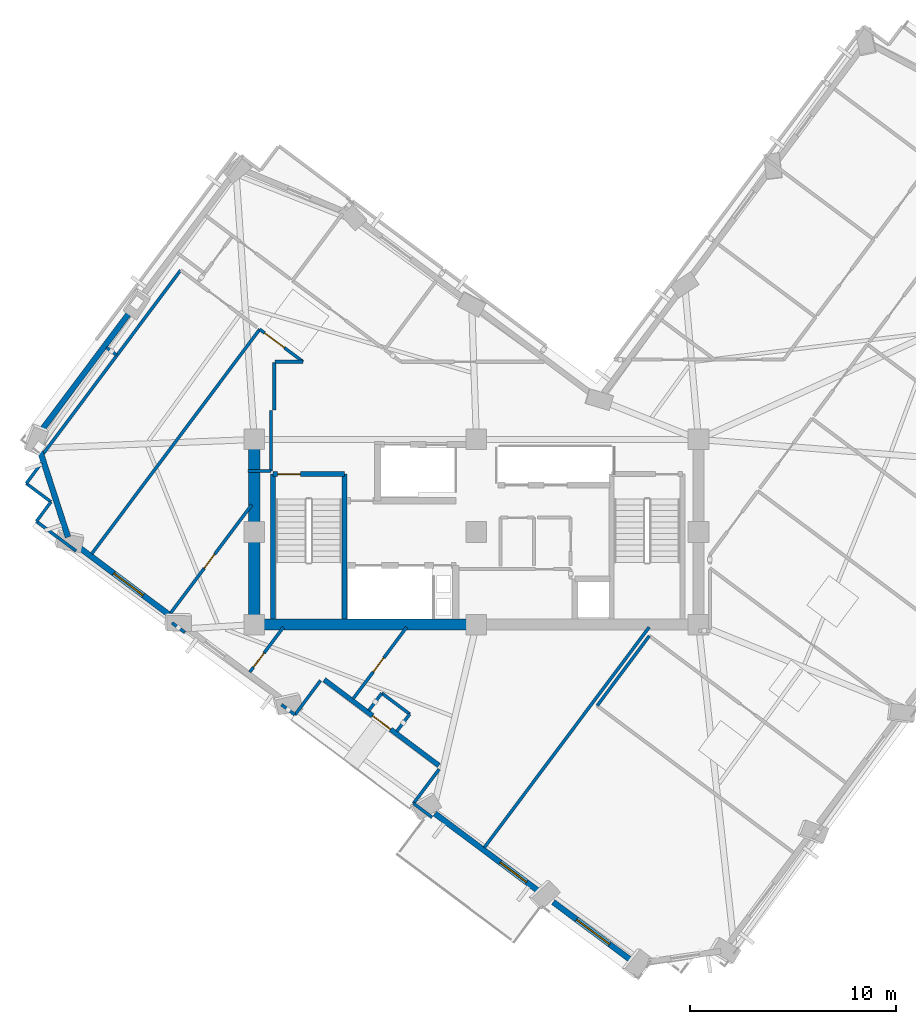
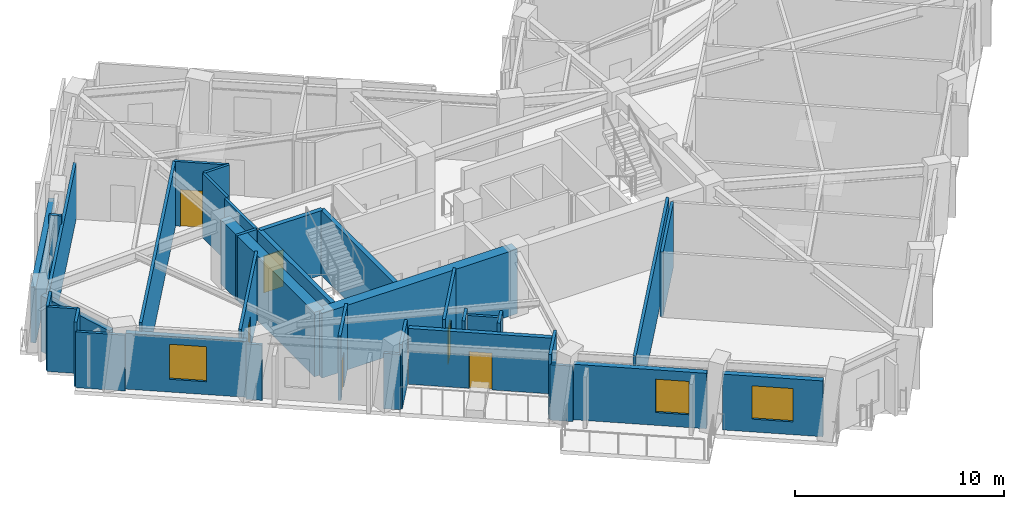
# One storey, part 3 of 12: 36 walls, 6 doors, 3 windows, 9 openings.
"""IFC4 building model written with IfcOpenShell, lengths in metres."""

from ifc_helpers import new_model, si_unit, direction, frame, frame_2d, origin, place, context, subcontext, project, spatial, rectangle, extrude, material, layer, layer_set, type_object, element, fill, save


model = new_model("IFC4")

# Units and contexts
model_context = context("Model", 3, precision=1e-05, world=origin(), true_north=direction((0.0, 1.0)))
body_context = subcontext(model_context, "Body", "Model", "MODEL_VIEW")
ifc_project = project(units=[si_unit("LENGTHUNIT", "METRE"), si_unit("AREAUNIT", "SQUARE_METRE"), si_unit("VOLUMEUNIT", "CUBIC_METRE"), si_unit("PLANEANGLEUNIT", "RADIAN"), si_unit("MASSUNIT", "GRAM", prefix="KILO")], contexts=[model_context])

# Site, building, storey
site_placement = place(None, origin())
site = spatial("IfcSite", under=ifc_project, at=site_placement, CompositionType="ELEMENT")
building_placement = place(site_placement, origin())
building = spatial("IfcBuilding", under=site, at=building_placement, Name="Gaonmaruhae Medical Tower", CompositionType="ELEMENT")
storey_placement = place(building_placement, frame((0.0, 0.0, 251.199951171875)))
storey = spatial("IfcBuildingStorey", under=building, at=storey_placement, Name="L60", CompositionType="ELEMENT", Elevation=251.199951171875)

# Walls
ifc_material_1 = material(Name="Concrete C50/60", Category="concrete")
ifc_layer_1 = layer(ifc_material_1, 0.550048828125)
ifc_layer_set_1 = layer_set([ifc_layer_1], Name="Concrete C50/60")
wall_type_1 = type_object("IfcWallType", Name="CW-550 Mid-High Core Shear Wall", PredefinedType="SHEAR", material=ifc_layer_set_1)
wall_1_placement = place(storey_placement, frame((14.0, 7.800048828125, 0.0), z_axis=(0.0, 0.0, 1.0), x_axis=(1.0, 0.0, 0.0)))
element("IfcWall", 1, at=wall_1_placement, inside=storey, type_object=wall_type_1, Name="L60 Core Shear Wall CSW-S1", PredefinedType="SHEAR", context=body_context, shape_type="SweptSolid", body=[
    extrude(rectangle(XDim=10.800048828125, YDim=0.550048828125, at=frame_2d((5.39990234375, 0.0))), origin(), (0.0, 0.0, 1.0), 3.780029296875),
])
wall_2_placement = place(storey_placement, frame((14.0, 16.800048828125, 0.0), z_axis=(0.0, 0.0, 1.0), x_axis=(0.0, -1.0, 0.0)))
element("IfcWall", 2, at=wall_2_placement, inside=storey, type_object=wall_type_1, Name="L60 Core Shear Wall CSW-W1", PredefinedType="SHEAR", context=body_context, shape_type="SweptSolid", body=[
    extrude(rectangle(XDim=9.0, YDim=0.550048828125, at=frame_2d((4.5, 0.0))), origin(), (0.0, 0.0, 1.0), 3.780029296875),
])

# Wall, opening, door
ifc_material_2 = material(Name="Precast concrete C45/55", Category="concrete")
ifc_layer_2 = layer(ifc_material_2, 0.239990234375)
ifc_layer_set_2 = layer_set([ifc_layer_2], Name="Precast concrete C45/55")
wall_type_2 = type_object("IfcWallType", Name="EW-240 Ribbon & Shelter Insulated Precast Wall", PredefinedType="SOLIDWALL", material=ifc_layer_set_2)
wall_3_placement = place(storey_placement, frame((22.97705078125, 0.950927734375, 0.0), z_axis=(0.0, 0.0, 1.0), x_axis=(-0.800727631984, 0.59902859646, 0.0)))
wall_3 = element("IfcWall", 3, at=wall_3_placement, inside=storey, type_object=wall_type_2, Name="L60 Recessed Terrace Enclosure Wall TERB", PredefinedType="SOLIDWALL", context=body_context, shape_type="SweptSolid", body=[
    extrude(rectangle(XDim=6.9599609375, YDim=0.239990234375, at=frame_2d((3.47998046875, 0.0))), origin(), (0.0, 0.0, 1.0), 3.26513671875),
])
opening_1_placement = place(wall_3_placement, frame((2.929931640625, 0.0, 0.0)))
opening_1 = element("IfcOpeningElement", 4, at=opening_1_placement, cuts=wall_3, Name="Opening TD-01", PredefinedType="OPENING", context=body_context, shape_type="SweptSolid", body=[
    extrude(rectangle(XDim=1.10009765625, YDim=2.14990234375, at=frame_2d((0.550048828125, 1.074951171875))), frame((0.0, 0.1298828125, 0.0), z_axis=(0.0, -1.0, 0.0), x_axis=(1.0, 0.0, 0.0)), (0.0, 0.0, 1.0), 0.260009765625),
])
ifc_material_3 = material(Name="Anodised aluminium and toughened safety glass", Category="aluminium")
door_type_1 = type_object("IfcDoorType", Name="TD-01 Terrace & Sky Garden Glazed Door 1100x2150", OperationType="NOTDEFINED", PredefinedType="DOOR", material=ifc_material_3)
door_1_placement = place(opening_1_placement, origin())
door_1 = element("IfcDoor", 5, at=door_1_placement, inside=storey, type_object=door_type_1, Name="L60 Outdoor Terrace Access Door SLB-L60-TER", OperationType="SINGLE_SWING_RIGHT", OverallHeight=2.14990234375, OverallWidth=1.10009765625, PredefinedType="DOOR", context=body_context, shape_type="SweptSolid", body=[
    extrude(rectangle(XDim=1.10009765625, YDim=2.14990234375, at=frame_2d((0.550048828125, 1.074951171875))), frame((0.0, 0.02490234375, 0.0), z_axis=(0.0, -1.0, 0.0), x_axis=(1.0, 0.0, 0.0)), (0.0, 0.0, 1.0), 0.050048828125),
])
fill(opening_1, door_1)

# Walls
ifc_layer_3 = layer(ifc_material_2, 0.280029296875)
ifc_layer_set_3 = layer_set([ifc_layer_3], Name="Precast concrete C45/55")
wall_type_3 = type_object("IfcWallType", Name="EW-280 Upper Precast Masonry-Frame Facade Wall", PredefinedType="SOLIDWALL", material=ifc_layer_set_3)
wall_4_placement = place(storey_placement, frame((3.488525390625, 17.0185546875, 0.0), z_axis=(0.0, 0.0, 1.0), x_axis=(0.59901836421, 0.800735286683, 0.0)))
element("IfcWall", 6, at=wall_4_placement, inside=storey, type_object=wall_type_3, Name="L60 Precast Masonry-Frame Wall N02-N03", PredefinedType="SOLIDWALL", context=body_context, shape_type="SweptSolid", body=[
    extrude(rectangle(XDim=7.484619140625, YDim=0.280029296875, at=frame_2d((3.7421875, 0.0))), origin(), (0.0, 0.0, 1.0), 3.26513671875),
])
wall_5_placement = place(storey_placement, frame((4.943115234375, 12.056396484375, 0.0), z_axis=(0.0, 0.0, 1.0), x_axis=(-0.30872411245, 0.951151629548, 0.0)))
element("IfcWall", 7, at=wall_5_placement, inside=storey, type_object=wall_type_3, Name="L60 Precast Masonry-Frame Wall N03-W01", PredefinedType="SOLIDWALL", context=body_context, shape_type="SweptSolid", body=[
    extrude(rectangle(XDim=4.407958984375, YDim=0.280029296875, at=frame_2d((2.2041015625, 0.0))), origin(), (0.0, 0.0, 1.0), 3.26513671875),
])

# Wall, opening, window
wall_6_placement = place(storey_placement, frame((10.139892578125, 8.0693359375, 0.0), z_axis=(0.0, 0.0, 1.0), x_axis=(-0.800727991846, 0.599028115429, 0.0)))
wall_6 = element("IfcWall", 8, at=wall_6_placement, inside=storey, type_object=wall_type_3, Name="L60 Precast Masonry-Frame Wall W01-W02", PredefinedType="SOLIDWALL", context=body_context, shape_type="SweptSolid", body=[
    extrude(rectangle(XDim=5.83056640625, YDim=0.280029296875, at=frame_2d((2.915283203125, 0.0))), origin(), (0.0, 0.0, 1.0), 3.26513671875),
])
opening_2_placement = place(wall_6_placement, frame((1.916748046875, 0.0, 0.75)))
opening_2 = element("IfcOpeningElement", 9, at=opening_2_placement, cuts=wall_6, Name="Opening WN-04", PredefinedType="OPENING", context=body_context, shape_type="SweptSolid", body=[
    extrude(rectangle(XDim=1.800048828125, YDim=2.050048828125, at=frame_2d((0.89990234375, 1.02490234375))), frame((0.0, 0.14990234375, 0.0), z_axis=(0.0, -1.0, 0.0), x_axis=(1.0, 0.0, 0.0)), (0.0, 0.0, 1.0), 0.300048828125),
])
ifc_material_4 = material(Name="Anodised aluminium and Low-E double glazing", Category="aluminium")
window_type_1 = type_object("IfcWindowType", Name="WN-04 Clinic & Consult Punched Window 1800x2050", PartitioningType="SINGLE_PANEL", PredefinedType="WINDOW", material=ifc_material_4)
window_1_placement = place(opening_2_placement, origin())
window_1 = element("IfcWindow", 10, at=window_1_placement, inside=storey, type_object=window_type_1, Name="L60 Modular Facade Window W01", OverallHeight=2.050048828125, OverallWidth=1.800048828125, PartitioningType="SINGLE_PANEL", PredefinedType="WINDOW", context=body_context, shape_type="SweptSolid", body=[
    extrude(rectangle(XDim=1.800048828125, YDim=2.050048828125, at=frame_2d((0.89990234375, 1.02490234375))), frame((0.0, 0.030029296875, 0.0), z_axis=(0.0, -1.0, 0.0), x_axis=(1.0, 0.0, 0.0)), (0.0, 0.0, 1.0), 0.06005859375),
])
fill(opening_2, window_1)

wall_7_placement = place(storey_placement, frame((27.92333984375, -5.234619140625, 0.0), z_axis=(0.0, 0.0, 1.0), x_axis=(-0.800724411081, 0.59903290185, 0.0)))
wall_7 = element("IfcWall", 11, at=wall_7_placement, inside=storey, type_object=wall_type_3, Name="L60 Precast Masonry-Frame Wall W04-W05", PredefinedType="SOLIDWALL", context=body_context, shape_type="SweptSolid", body=[
    extrude(rectangle(XDim=6.425048828125, YDim=0.280029296875, at=frame_2d((3.21240234375, 0.0))), origin(), (0.0, 0.0, 1.0), 3.2451171875),
])
opening_3_placement = place(wall_7_placement, frame((0.8525390625, 0.0, 0.75)))
opening_3 = element("IfcOpeningElement", 12, at=opening_3_placement, cuts=wall_7, Name="Opening WN-01", PredefinedType="OPENING", context=body_context, shape_type="SweptSolid", body=[
    extrude(rectangle(XDim=1.60009765625, YDim=1.949951171875, at=frame_2d((0.800048828125, 0.97509765625))), frame((0.0, 0.14990234375, 0.0), z_axis=(0.0, -1.0, 0.0), x_axis=(1.0, 0.0, 0.0)), (0.0, 0.0, 1.0), 0.300048828125),
])
window_type_2 = type_object("IfcWindowType", Name="WN-01 Ward Punched Acoustic Window 1600x1950", PartitioningType="SINGLE_PANEL", PredefinedType="WINDOW", material=ifc_material_4)
window_2_placement = place(opening_3_placement, origin())
window_2 = element("IfcWindow", 13, at=window_2_placement, inside=storey, type_object=window_type_2, Name="L60 Modular Facade Window W04", OverallHeight=1.949951171875, OverallWidth=1.60009765625, PartitioningType="SINGLE_PANEL", PredefinedType="WINDOW", context=body_context, shape_type="SweptSolid", body=[
    extrude(rectangle(XDim=1.60009765625, YDim=1.949951171875, at=frame_2d((0.800048828125, 0.97509765625))), frame((0.0, 0.030029296875, 0.0), z_axis=(0.0, -1.0, 0.0), x_axis=(1.0, 0.0, 0.0)), (0.0, 0.0, 1.0), 0.06005859375),
])
fill(opening_3, window_2)

wall_8_placement = place(storey_placement, frame((32.4208984375, -8.59912109375, 0.0), z_axis=(0.0, 0.0, 1.0), x_axis=(-0.800741550963, 0.599009990369, 0.0)))
wall_8 = element("IfcWall", 14, at=wall_8_placement, inside=storey, type_object=wall_type_3, Name="L60 Precast Masonry-Frame Wall W05-W06", PredefinedType="SOLIDWALL", context=body_context, shape_type="SweptSolid", body=[
    extrude(rectangle(XDim=4.85546875, YDim=0.280029296875, at=frame_2d((2.427734375, 0.0))), origin(), (0.0, 0.0, 1.0), 3.26513671875),
])
opening_4_placement = place(wall_8_placement, frame((1.4326171875, 0.0, 0.75)))
opening_4 = element("IfcOpeningElement", 15, at=opening_4_placement, cuts=wall_8, Name="Opening WN-02", PredefinedType="OPENING", context=body_context, shape_type="SweptSolid", body=[
    extrude(rectangle(XDim=2.0, YDim=1.949951171875, at=frame_2d((1.0, 0.97509765625))), frame((0.0, 0.14990234375, 0.0), z_axis=(0.0, -1.0, 0.0), x_axis=(1.0, 0.0, 0.0)), (0.0, 0.0, 1.0), 0.300048828125),
])
window_type_3 = type_object("IfcWindowType", Name="WN-02 Double-Bed Ward Punched Window 2000x1950", PartitioningType="SINGLE_PANEL", PredefinedType="WINDOW", material=ifc_material_4)
window_3_placement = place(opening_4_placement, origin())
window_3 = element("IfcWindow", 16, at=window_3_placement, inside=storey, type_object=window_type_3, Name="L60 Modular Facade Window W05", OverallHeight=1.949951171875, OverallWidth=2.0, PartitioningType="SINGLE_PANEL", PredefinedType="WINDOW", context=body_context, shape_type="SweptSolid", body=[
    extrude(rectangle(XDim=2.0, YDim=1.949951171875, at=frame_2d((1.0, 0.97509765625))), frame((0.0, 0.030029296875, 0.0), z_axis=(0.0, -1.0, 0.0), x_axis=(1.0, 0.0, 0.0)), (0.0, 0.0, 1.0), 0.06005859375),
])
fill(opening_4, window_3)

# Walls
ifc_material_5 = material(Name="Gypsum board partition", Category="gypsum")
ifc_layer_4 = layer(ifc_material_5, 0.14990234375)
ifc_layer_set_4 = layer_set([ifc_layer_4], Name="Gypsum board partition")
wall_type_4 = type_object("IfcWallType", Name="PW-150 Rated Clinical Corridor Partition", PredefinedType="PARTITIONING", material=ifc_layer_set_4)
wall_9_placement = place(storey_placement, frame((30.6708984375, 3.85595703125, 0.0), z_axis=(0.0, 0.0, 1.0), x_axis=(0.598801724245, 0.800897306177, 0.0)))
element("IfcWall", 17, at=wall_9_placement, inside=storey, type_object=wall_type_4, Name="L60 Interior Partition L60-SUP03-8", PredefinedType="PARTITIONING", context=body_context, shape_type="SweptSolid", body=[
    extrude(rectangle(XDim=4.240234375, YDim=0.14990234375, at=frame_2d((2.1201171875, 0.0))), origin(), (0.0, 0.0, 1.0), 3.780029296875),
])
wall_10_placement = place(storey_placement, frame((22.64111328125, -1.570068359375, 0.0), z_axis=(0.0, 0.0, 1.0), x_axis=(-0.800652409564, 0.599129133876, 0.0)))
element("IfcWall", 18, at=wall_10_placement, inside=storey, type_object=wall_type_4, Name="L60 Interior Partition L60-WOF11-38", PredefinedType="PARTITIONING", context=body_context, shape_type="SweptSolid", body=[
    extrude(rectangle(XDim=1.121826171875, YDim=0.14990234375, at=frame_2d((0.56103515625, 0.0))), origin(), (0.0, 0.0, 1.0), 3.2451171875),
])
wall_11_placement = place(storey_placement, frame((21.742919921875, -0.89794921875, 0.0), z_axis=(0.0, 0.0, 1.0), x_axis=(0.599173233998, 0.800619407497, 0.0)))
element("IfcWall", 19, at=wall_11_placement, inside=storey, type_object=wall_type_4, Name="L60 Interior Partition L60-WOF11-39", PredefinedType="PARTITIONING", context=body_context, shape_type="SweptSolid", body=[
    extrude(rectangle(XDim=2.07958984375, YDim=0.14990234375, at=frame_2d((1.039794921875, 0.0))), origin(), (0.0, 0.0, 1.0), 3.780029296875),
])
wall_12_placement = place(storey_placement, frame((33.200927734375, 7.672119140625, 0.0), z_axis=(0.0, 0.0, 1.0), x_axis=(-0.5990566524, -0.80070664242, 0.0)))
element("IfcWall", 20, at=wall_12_placement, inside=storey, type_object=wall_type_4, Name="L60 Interior Partition L60-WOF11-41", PredefinedType="PARTITIONING", context=body_context, shape_type="SweptSolid", body=[
    extrude(rectangle(XDim=13.380859375, YDim=0.14990234375, at=frame_2d((6.6904296875, 0.0))), origin(), (0.0, 0.0, 1.0), 3.780029296875),
])
wall_13_placement = place(storey_placement, frame((20.927978515625, 2.60302734375, 0.0), z_axis=(0.0, 0.0, 1.0), x_axis=(0.599444171205, 0.800416570049, 0.0)))
element("IfcWall", 21, at=wall_13_placement, inside=storey, type_object=wall_type_4, Name="L60 Interior Partition L60-WOF12-42", PredefinedType="PARTITIONING", context=body_context, shape_type="SweptSolid", body=[
    extrude(rectangle(XDim=1.054443359375, YDim=0.14990234375, at=frame_2d((0.52734375, 0.0))), origin(), (0.0, 0.0, 1.0), 3.780029296875),
])
wall_14_placement = place(storey_placement, frame((21.56005859375, 3.447021484375, 0.0), z_axis=(0.0, 0.0, 1.0), x_axis=(-0.800499406508, 0.599333546684, 0.0)))
element("IfcWall", 22, at=wall_14_placement, inside=storey, type_object=wall_type_4, Name="L60 Interior Partition L60-WOF12-43", PredefinedType="PARTITIONING", context=body_context, shape_type="SweptSolid", body=[
    extrude(rectangle(XDim=1.7001953125, YDim=0.14990234375, at=frame_2d((0.85009765625, 0.0))), origin(), (0.0, 0.0, 1.0), 3.4150390625),
])
wall_15_placement = place(storey_placement, frame((20.198974609375, 4.466064453125, 0.0), z_axis=(0.0, 0.0, 1.0), x_axis=(-0.599000041508, -0.800748993302, 0.0)))
element("IfcWall", 23, at=wall_15_placement, inside=storey, type_object=wall_type_4, Name="L60 Interior Partition L60-WOF12-44", PredefinedType="PARTITIONING", context=body_context, shape_type="SweptSolid", body=[
    extrude(rectangle(XDim=1.05517578125, YDim=0.14990234375, at=frame_2d((0.527587890625, 0.0))), origin(), (0.0, 0.0, 1.0), 3.780029296875),
])

# Wall, opening, door
wall_16_placement = place(storey_placement, frame((18.805908203125, 4.18994140625, 0.0), z_axis=(0.0, 0.0, 1.0), x_axis=(0.599020458163, 0.800733720223, 0.0)))
wall_16 = element("IfcWall", 24, at=wall_16_placement, inside=storey, type_object=wall_type_4, Name="L60 Interior Partition L60-WOF12-45", PredefinedType="PARTITIONING", context=body_context, shape_type="SweptSolid", body=[
    extrude(rectangle(XDim=4.3486328125, YDim=0.14990234375, at=frame_2d((2.17431640625, 0.0))), origin(), (0.0, 0.0, 1.0), 3.780029296875),
])
opening_5_placement = place(wall_16_placement, frame((1.63671875, 0.0, 0.0)))
opening_5 = element("IfcOpeningElement", 25, at=opening_5_placement, cuts=wall_16, Name="Opening AD-01", PredefinedType="OPENING", context=body_context, shape_type="SweptSolid", body=[
    extrude(rectangle(XDim=0.860107421875, YDim=2.06005859375, at=frame_2d((0.43017578125, 1.030029296875))), frame((0.0, 0.0849609375, 0.0), z_axis=(0.0, -1.0, 0.0), x_axis=(1.0, 0.0, 0.0)), (0.0, 0.0, 1.0), 0.169921875),
])
ifc_material_6 = material(Name="Powder-coated steel access door", Category="steel")
door_type_2 = type_object("IfcDoorType", Name="AD-01 Riser & Closet Access Fire Door 860x2060", OperationType="NOTDEFINED", PredefinedType="DOOR", material=ifc_material_6)
door_2_placement = place(opening_5_placement, origin())
door_2 = element("IfcDoor", 26, at=door_2_placement, inside=storey, type_object=door_type_2, Name="L60 Ward Physician Reporting Office Sliding Door", OperationType="SLIDING_TO_LEFT", OverallHeight=2.06005859375, OverallWidth=0.860107421875, PredefinedType="DOOR", context=body_context, shape_type="SweptSolid", body=[
    extrude(rectangle(XDim=0.860107421875, YDim=2.06005859375, at=frame_2d((0.43017578125, 1.030029296875))), frame((0.0, 0.02490234375, 0.0), z_axis=(0.0, -1.0, 0.0), x_axis=(1.0, 0.0, 0.0)), (0.0, 0.0, 1.0), 0.050048828125),
])
fill(opening_5, door_2)

# Walls
wall_17_placement = place(storey_placement, frame((17.22412109375, 5.080078125, 0.0), z_axis=(0.0, 0.0, 1.0), x_axis=(-0.59894803695, -0.800787892662, 0.0)))
element("IfcWall", 27, at=wall_17_placement, inside=storey, type_object=wall_type_4, Name="L60 Interior Partition L60-WOF13-46", PredefinedType="PARTITIONING", context=body_context, shape_type="SweptSolid", body=[
    extrude(rectangle(XDim=2.08056640625, YDim=0.14990234375, at=frame_2d((1.040283203125, 0.0))), origin(), (0.0, 0.0, 1.0), 3.780029296875),
])
wall_18_placement = place(storey_placement, frame((15.97802734375, 3.4140625, 0.0), z_axis=(0.0, 0.0, 1.0), x_axis=(-0.800607419464, 0.599189252156, 0.0)))
element("IfcWall", 28, at=wall_18_placement, inside=storey, type_object=wall_type_4, Name="L60 Interior Partition L60-WOF13-47", PredefinedType="PARTITIONING", context=body_context, shape_type="SweptSolid", body=[
    extrude(rectangle(XDim=0.8193359375, YDim=0.14990234375, at=frame_2d((0.40966796875, 0.0))), origin(), (0.0, 0.0, 1.0), 3.2451171875),
])

# Wall, opening, door
wall_19_placement = place(storey_placement, frame((13.781982421875, 5.488037109375, 0.0), z_axis=(0.0, 0.0, 1.0), x_axis=(0.599283876388, 0.800536592231, 0.0)))
wall_19 = element("IfcWall", 29, at=wall_19_placement, inside=storey, type_object=wall_type_4, Name="L60 Interior Partition L60-WOF13-48", PredefinedType="PARTITIONING", context=body_context, shape_type="SweptSolid", body=[
    extrude(rectangle(XDim=2.728271484375, YDim=0.14990234375, at=frame_2d((1.3642578125, 0.0))), origin(), (0.0, 0.0, 1.0), 3.780029296875),
])
opening_6_placement = place(wall_19_placement, frame((0.302001953125, 0.0, 0.0)))
opening_6 = element("IfcOpeningElement", 30, at=opening_6_placement, cuts=wall_19, Name="Opening AD-01", PredefinedType="OPENING", context=body_context, shape_type="SweptSolid", body=[
    extrude(rectangle(XDim=0.860107421875, YDim=2.06005859375, at=frame_2d((0.43017578125, 1.030029296875))), frame((0.0, 0.0849609375, 0.0), z_axis=(0.0, -1.0, 0.0), x_axis=(1.0, 0.0, 0.0)), (0.0, 0.0, 1.0), 0.169921875),
])
door_3_placement = place(opening_6_placement, origin())
door_3 = element("IfcDoor", 31, at=door_3_placement, inside=storey, type_object=door_type_2, Name="L60 Ward Physician Reporting Office Sliding Door", OperationType="SLIDING_TO_LEFT", OverallHeight=2.06005859375, OverallWidth=0.860107421875, PredefinedType="DOOR", context=body_context, shape_type="SweptSolid", body=[
    extrude(rectangle(XDim=0.860107421875, YDim=2.06005859375, at=frame_2d((0.43017578125, 1.030029296875))), frame((0.0, 0.02490234375, 0.0), z_axis=(0.0, -1.0, 0.0), x_axis=(1.0, 0.0, 0.0)), (0.0, 0.0, 1.0), 0.050048828125),
])
fill(opening_6, door_3)

# Wall
wall_20_placement = place(storey_placement, frame((10.62890625, 7.416015625, 0.0), z_axis=(0.0, 0.0, 1.0), x_axis=(-0.8007477401, 0.599001716796, 0.0)))
element("IfcWall", 32, at=wall_20_placement, inside=storey, type_object=wall_type_4, Name="L60 Interior Partition L60-WOF14-49", PredefinedType="PARTITIONING", context=body_context, shape_type="SweptSolid", body=[
    extrude(rectangle(XDim=0.782958984375, YDim=0.14990234375, at=frame_2d((0.3916015625, 0.0))), origin(), (0.0, 0.0, 1.0), 3.2451171875),
])

# Wall, opening, door
wall_21_placement = place(storey_placement, frame((9.93896484375, 8.363037109375, 0.0), z_axis=(0.0, 0.0, 1.0), x_axis=(0.598983005593, 0.80076173673, 0.0)))
wall_21 = element("IfcWall", 33, at=wall_21_placement, inside=storey, type_object=wall_type_4, Name="L60 Interior Partition L60-WOF14-50", PredefinedType="PARTITIONING", context=body_context, shape_type="SweptSolid", body=[
    extrude(rectangle(XDim=6.5712890625, YDim=0.14990234375, at=frame_2d((3.28564453125, 0.0))), origin(), (0.0, 0.0, 1.0), 3.780029296875),
])
opening_7_placement = place(wall_21_placement, frame((2.70947265625, 0.0, 0.0)))
opening_7 = element("IfcOpeningElement", 34, at=opening_7_placement, cuts=wall_21, Name="Opening AD-01", PredefinedType="OPENING", context=body_context, shape_type="SweptSolid", body=[
    extrude(rectangle(XDim=0.860107421875, YDim=2.06005859375, at=frame_2d((0.43017578125, 1.030029296875))), frame((0.0, 0.0849609375, 0.0), z_axis=(0.0, -1.0, 0.0), x_axis=(1.0, 0.0, 0.0)), (0.0, 0.0, 1.0), 0.169921875),
])
door_4_placement = place(opening_7_placement, origin())
door_4 = element("IfcDoor", 35, at=door_4_placement, inside=storey, type_object=door_type_2, Name="L60 Ward Physician Reporting Office Sliding Door", OperationType="SLIDING_TO_LEFT", OverallHeight=2.06005859375, OverallWidth=0.860107421875, PredefinedType="DOOR", context=body_context, shape_type="SweptSolid", body=[
    extrude(rectangle(XDim=0.860107421875, YDim=2.06005859375, at=frame_2d((0.43017578125, 1.030029296875))), frame((0.0, 0.02490234375, 0.0), z_axis=(0.0, -1.0, 0.0), x_axis=(1.0, 0.0, 0.0)), (0.0, 0.0, 1.0), 0.050048828125),
])
fill(opening_7, door_4)

# Walls
wall_22_placement = place(storey_placement, frame((14.969970703125, 20.550048828125, 0.0), z_axis=(0.0, 0.0, 1.0), x_axis=(0.0, -1.0, 0.0)))
element("IfcWall", 36, at=wall_22_placement, inside=storey, type_object=wall_type_4, Name="L60 Interior Partition L60-WOF15-51", PredefinedType="PARTITIONING", context=body_context, shape_type="SweptSolid", body=[
    extrude(rectangle(XDim=2.320068359375, YDim=0.14990234375, at=frame_2d((1.16015625, 0.0))), origin(), (0.0, 0.0, 1.0), 3.780029296875),
])
wall_23_placement = place(storey_placement, frame((14.820068359375, 18.199951171875, 0.0), z_axis=(0.0, 0.0, 1.0), x_axis=(0.0, -1.0, 0.0)))
element("IfcWall", 37, at=wall_23_placement, inside=storey, type_object=wall_type_4, Name="L60 Interior Partition L60-WOF15-52", PredefinedType="PARTITIONING", context=body_context, shape_type="SweptSolid", body=[
    extrude(rectangle(XDim=2.93994140625, YDim=0.14990234375, at=frame_2d((1.469970703125, 0.0))), origin(), (0.0, 0.0, 1.0), 3.780029296875),
])
wall_24_placement = place(storey_placement, frame((14.820068359375, 15.260009765625, 0.0), z_axis=(0.0, 0.0, 1.0), x_axis=(-1.0, 0.0, 0.0)))
element("IfcWall", 38, at=wall_24_placement, inside=storey, type_object=wall_type_4, Name="L60 Interior Partition L60-WOF15-53", PredefinedType="PARTITIONING", context=body_context, shape_type="SweptSolid", body=[
    extrude(rectangle(XDim=1.1201171875, YDim=0.14990234375, at=frame_2d((0.56005859375, 0.0))), origin(), (0.0, 0.0, 1.0), 3.780029296875),
])
wall_25_placement = place(storey_placement, frame((6.095947265625, 11.238037109375, 0.0), z_axis=(0.0, 0.0, 1.0), x_axis=(0.598991058124, 0.80075571324, 0.0)))
element("IfcWall", 39, at=wall_25_placement, inside=storey, type_object=wall_type_4, Name="L60 Interior Partition L60-WOF15-54", PredefinedType="PARTITIONING", context=body_context, shape_type="SweptSolid", body=[
    extrude(rectangle(XDim=13.634521484375, YDim=0.14990234375, at=frame_2d((6.8173828125, 0.0))), origin(), (0.0, 0.0, 1.0), 3.780029296875),
])

# Wall, opening, door
wall_26_placement = place(storey_placement, frame((14.262939453125, 22.156005859375, 0.0), z_axis=(0.0, 0.0, 1.0), x_axis=(0.800812047069, -0.598915741377, 0.0)))
wall_26 = element("IfcWall", 40, at=wall_26_placement, inside=storey, type_object=wall_type_4, Name="L60 Interior Partition L60-WOF15-55", PredefinedType="PARTITIONING", context=body_context, shape_type="SweptSolid", body=[
    extrude(rectangle(XDim=2.63134765625, YDim=0.14990234375, at=frame_2d((1.315673828125, 0.0))), origin(), (0.0, 0.0, 1.0), 3.780029296875),
])
opening_8_placement = place(wall_26_placement, frame((0.29736328125, 0.0, 0.0)))
opening_8 = element("IfcOpeningElement", 41, at=opening_8_placement, cuts=wall_26, Name="Opening CD-02", PredefinedType="OPENING", context=body_context, shape_type="SweptSolid", body=[
    extrude(rectangle(XDim=1.199951171875, YDim=2.14990234375, at=frame_2d((0.60009765625, 1.074951171875))), frame((0.0, 0.0849609375, 0.0), z_axis=(0.0, -1.0, 0.0), x_axis=(1.0, 0.0, 0.0)), (0.0, 0.0, 1.0), 0.169921875),
])
ifc_material_7 = material(Name="Antimicrobial laminate timber fire door", Category="wood")
door_type_3 = type_object("IfcDoorType", Name="CD-02 Clinical Treatment & Procedure Door 1200x2150", OperationType="NOTDEFINED", PredefinedType="DOOR", material=ifc_material_7)
door_5_placement = place(opening_8_placement, origin())
door_5 = element("IfcDoor", 42, at=door_5_placement, inside=storey, type_object=door_type_3, Name="L60 Ward Physician Reporting Office Door", OperationType="SINGLE_SWING_LEFT", OverallHeight=2.14990234375, OverallWidth=1.199951171875, PredefinedType="DOOR", context=body_context, shape_type="SweptSolid", body=[
    extrude(rectangle(XDim=1.199951171875, YDim=2.14990234375, at=frame_2d((0.60009765625, 1.074951171875))), frame((0.0, 0.02490234375, 0.0), z_axis=(0.0, -1.0, 0.0), x_axis=(1.0, 0.0, 0.0)), (0.0, 0.0, 1.0), 0.050048828125),
])
fill(opening_8, door_5)

# Walls
wall_27_placement = place(storey_placement, frame((16.3701171875, 20.580078125, 0.0), z_axis=(0.0, 0.0, 1.0), x_axis=(-1.0, 0.0, 0.0)))
element("IfcWall", 43, at=wall_27_placement, inside=storey, type_object=wall_type_4, Name="L60 Interior Partition L60-WOF15-56", PredefinedType="PARTITIONING", context=body_context, shape_type="SweptSolid", body=[
    extrude(rectangle(XDim=1.373046875, YDim=0.14990234375, at=frame_2d((0.6865234375, 0.0))), origin(), (0.0, 0.0, 1.0), 3.780029296875),
])
wall_28_placement = place(storey_placement, frame((2.912109375, 14.6630859375, 0.0), z_axis=(0.0, 0.0, 1.0), x_axis=(0.598958853105, 0.800779802622, 0.0)))
element("IfcWall", 44, at=wall_28_placement, inside=storey, type_object=wall_type_4, Name="L60 Interior Partition L60-WOF16-57", PredefinedType="PARTITIONING", context=body_context, shape_type="SweptSolid", body=[
    extrude(rectangle(XDim=1.23876953125, YDim=0.14990234375, at=frame_2d((0.619384765625, 0.0))), origin(), (0.0, 0.0, 1.0), 3.780029296875),
])
wall_29_placement = place(storey_placement, frame((3.748046875, 16.112060546875, 0.0), z_axis=(0.0, 0.0, 1.0), x_axis=(0.598961482062, 0.800777836235, 0.0)))
element("IfcWall", 45, at=wall_29_placement, inside=storey, type_object=wall_type_4, Name="L60 Interior Partition L60-WOF16-58", PredefinedType="PARTITIONING", context=body_context, shape_type="SweptSolid", body=[
    extrude(rectangle(XDim=11.13916015625, YDim=0.14990234375, at=frame_2d((5.569580078125, 0.0))), origin(), (0.0, 0.0, 1.0), 3.26513671875),
])
wall_30_placement = place(storey_placement, frame((5.3330078125, 11.3779296875, 0.0), z_axis=(0.0, 0.0, 1.0), x_axis=(-0.800669347781, 0.599106497648, 0.0)))
element("IfcWall", 46, at=wall_30_placement, inside=storey, type_object=wall_type_4, Name="L60 Interior Partition L60-WOF16-60", PredefinedType="PARTITIONING", context=body_context, shape_type="SweptSolid", body=[
    extrude(rectangle(XDim=2.405517578125, YDim=0.14990234375, at=frame_2d((1.20263671875, 0.0))), origin(), (0.0, 0.0, 1.0), 3.26513671875),
])
wall_31_placement = place(storey_placement, frame((3.406982421875, 12.819091796875, 0.0), z_axis=(0.0, 0.0, 1.0), x_axis=(0.598608136415, 0.801042008273, 0.0)))
element("IfcWall", 47, at=wall_31_placement, inside=storey, type_object=wall_type_4, Name="L60 Interior Partition L60-WOF16-61", PredefinedType="PARTITIONING", context=body_context, shape_type="SweptSolid", body=[
    extrude(rectangle(XDim=1.179443359375, YDim=0.14990234375, at=frame_2d((0.58984375, 0.0))), origin(), (0.0, 0.0, 1.0), 3.780029296875),
])
wall_32_placement = place(storey_placement, frame((4.113037109375, 13.763916015625, 0.0), z_axis=(0.0, 0.0, 1.0), x_axis=(-0.800487936805, 0.599348865878, 0.0)))
element("IfcWall", 48, at=wall_32_placement, inside=storey, type_object=wall_type_4, Name="L60 Interior Partition L60-WOF16-62", PredefinedType="PARTITIONING", context=body_context, shape_type="SweptSolid", body=[
    extrude(rectangle(XDim=1.500244140625, YDim=0.14990234375, at=frame_2d((0.75, 0.0))), origin(), (0.0, 0.0, 1.0), 3.780029296875),
])
wall_33_placement = place(storey_placement, frame((7.306884765625, 20.904052734375, 0.0), z_axis=(0.0, 0.0, 1.0), x_axis=(-0.800618180237, 0.599174873867, 0.0)))
element("IfcWall", 49, at=wall_33_placement, inside=storey, type_object=wall_type_4, Name="L60 Interior Partition L60-RM02-98", PredefinedType="PARTITIONING", context=body_context, shape_type="SweptSolid", body=[
    extrude(rectangle(XDim=0.61572265625, YDim=0.14990234375, at=frame_2d((0.307861328125, 0.0))), origin(), (0.0, 0.0, 1.0), 3.780029296875),
])

# Wall, opening, door
ifc_layer_5 = layer(ifc_material_1, 0.239990234375)
ifc_layer_set_5 = layer_set([ifc_layer_5], Name="Concrete C50/60")
wall_type_5 = type_object("IfcWallType", Name="SW-240 Dogleg Stair Tight Shaft Wall", PredefinedType="SOLIDWALL", material=ifc_layer_set_5)
wall_34_placement = place(storey_placement, frame((14.919921875, 15.1201171875, 0.0), z_axis=(0.0, 0.0, 1.0), x_axis=(1.0, 0.0, 0.0)))
wall_34 = element("IfcWall", 50, at=wall_34_placement, inside=storey, type_object=wall_type_5, Name="L60 ST-01 Stair Shaft Wall SHW-ST-01-N", PredefinedType="SOLIDWALL", context=body_context, shape_type="SweptSolid", body=[
    extrude(rectangle(XDim=3.4599609375, YDim=0.239990234375, at=frame_2d((1.72998046875, 0.0))), origin(), (0.0, 0.0, 1.0), 3.780029296875),
])
opening_9_placement = place(wall_34_placement, frame((0.219970703125, 0.0, 0.0)))
opening_9 = element("IfcOpeningElement", 51, at=opening_9_placement, cuts=wall_34, Name="Opening FD-01", PredefinedType="OPENING", context=body_context, shape_type="SweptSolid", body=[
    extrude(rectangle(XDim=1.10009765625, YDim=2.14990234375, at=frame_2d((0.550048828125, 1.074951171875))), frame((0.0, 0.1298828125, 0.0), z_axis=(0.0, -1.0, 0.0), x_axis=(1.0, 0.0, 0.0)), (0.0, 0.0, 1.0), 0.260009765625),
])
ifc_material_8 = material(Name="Powder-coated steel fire door", Category="steel")
door_type_4 = type_object("IfcDoorType", Name="FD-01 Escape Stair Protected Fire Door 1100x2150", OperationType="NOTDEFINED", PredefinedType="DOOR", material=ifc_material_8)
door_6_placement = place(opening_9_placement, origin())
door_6 = element("IfcDoor", 52, at=door_6_placement, inside=storey, type_object=door_type_4, Name="L60 ST-01 Protected Escape Stair Door", OperationType="SINGLE_SWING_RIGHT", OverallHeight=2.14990234375, OverallWidth=1.10009765625, PredefinedType="DOOR", context=body_context, shape_type="SweptSolid", body=[
    extrude(rectangle(XDim=1.10009765625, YDim=2.14990234375, at=frame_2d((0.550048828125, 1.074951171875))), frame((0.0, 0.02490234375, 0.0), z_axis=(0.0, -1.0, 0.0), x_axis=(1.0, 0.0, 0.0)), (0.0, 0.0, 1.0), 0.050048828125),
])
fill(opening_9, door_6)

# Walls
for number, where, z_axis, x_axis, name in (
    (53, (18.3798828125, 15.1201171875, 0.0), (0.0, 0.0, 1.0), (0.0, -1.0, 0.0), "L60 ST-01 Stair Shaft Wall SHW-ST-01-E"),
    (54, (14.919921875, 8.074951171875, 0.0), (0.0, 0.0, 1.0), (0.0, 1.0, 0.0), "L60 ST-01 Stair Shaft Wall SHW-ST-01-W"),
):
    element("IfcWall", number, at=place(storey_placement, frame(where, z_axis=z_axis, x_axis=x_axis)), inside=storey, type_object=wall_type_5, Name=name, PredefinedType="SOLIDWALL", context=body_context, shape_type="SweptSolid", body=[
        extrude(rectangle(XDim=7.045166015625, YDim=0.239990234375, at=frame_2d((3.5224609375, 0.0))), origin(), (0.0, 0.0, 1.0), 3.780029296875),
    ])

save(model, "model.ifc")
